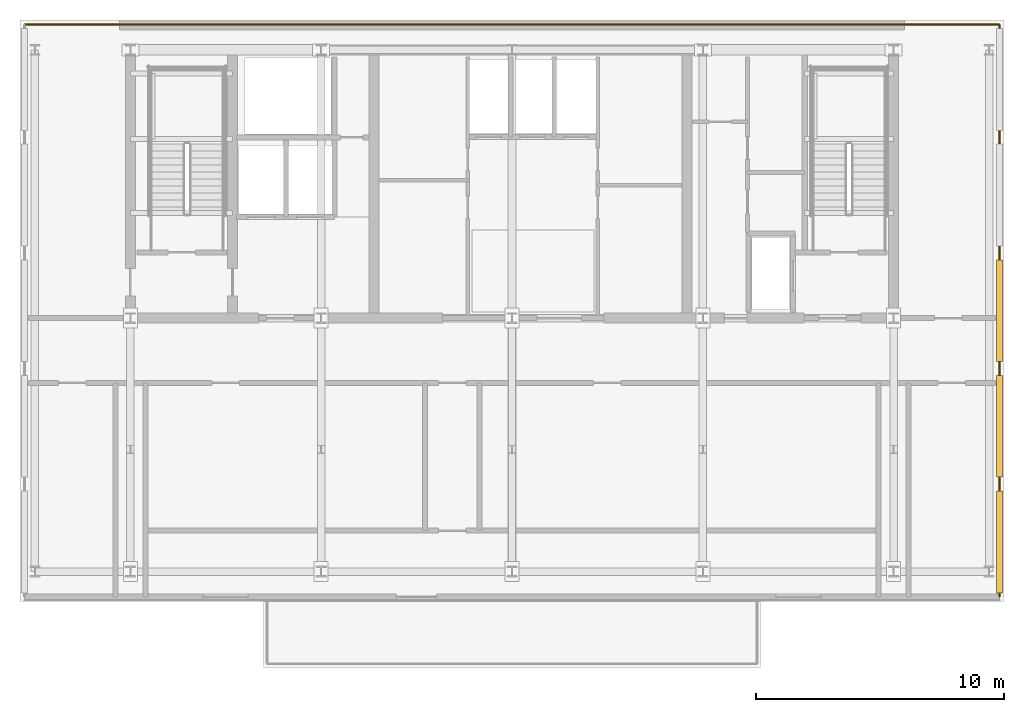
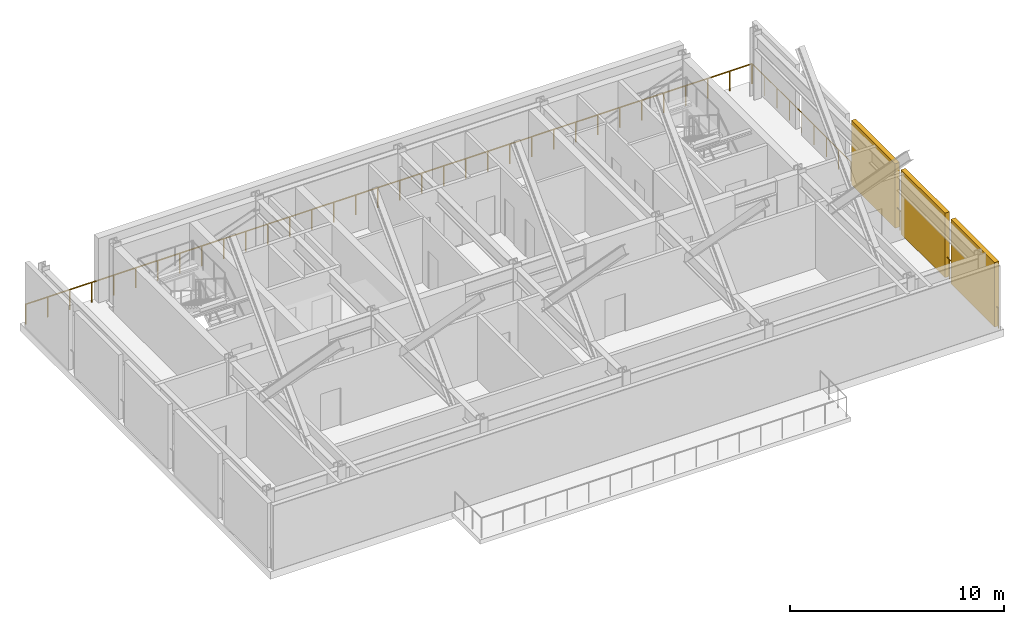
# One storey, part 7 of 8: 3 shading devices, 2 railings.
"""IFC4 building model written with IfcOpenShell, lengths in metres."""

from ifc_helpers import new_model, si_unit, direction, frame, origin, origin_2d, place, context, subcontext, project, spatial, rectangle, circle, extrude, material, layer, layer_set, type_object, element, save


model = new_model("IFC4")

# Units and contexts
model_context = context("Model", 3, precision=1e-05, world=origin(), true_north=direction((0.0, 1.0)))
body_context = subcontext(model_context, "Body", "Model", "MODEL_VIEW")
ifc_project = project(units=[si_unit("LENGTHUNIT", "METRE"), si_unit("AREAUNIT", "SQUARE_METRE"), si_unit("VOLUMEUNIT", "CUBIC_METRE"), si_unit("PLANEANGLEUNIT", "RADIAN"), si_unit("MASSUNIT", "GRAM", prefix="KILO")], contexts=[model_context])

# Site, building, storey
site_placement = place(None, origin())
site = spatial("IfcSite", under=ifc_project, at=site_placement, CompositionType="ELEMENT")
building_placement = place(site_placement, origin())
building = spatial("IfcBuilding", under=site, at=building_placement, Name="Yelkora Congress Tower", CompositionType="ELEMENT")
storey_placement = place(building_placement, frame((0.0, 0.0, 247.39990234375)))
storey = spatial("IfcBuildingStorey", under=building, at=storey_placement, Name="L69", CompositionType="ELEMENT", Elevation=247.39990234375)

# Railings
ifc_material_1 = material(Name="Stainless steel 316L and laminated glass infill", Category="steel")
ifc_layer_1 = layer(ifc_material_1, 0.080078125)
ifc_layer_set_1 = layer_set([ifc_layer_1], Name="Stainless steel 316L and laminated glass infill")
railing_type = type_object("IfcRailingType", Name="RAIL-EXT-GUARD-1150", PredefinedType="GUARDRAIL", material=ifc_layer_set_1)
railing_1_placement = place(storey_placement, frame((58.02001953125, 24.199951171875, 0.0)))
element("IfcRailing", 1, at=railing_1_placement, inside=storey, type_object=railing_type, Name="L69 Wind-Floor Perimeter Guardrail E", PredefinedType="GUARDRAIL", context=body_context, shape_type="SweptSolid", body=[
    extrude(circle(Radius=0.02392578125, at=origin_2d()), frame((0.0, 0.0, 1.1259765625), z_axis=(0.0, 1.0, 0.0), x_axis=(-1.0, 0.0, 0.0)), (0.0, 0.0, 1.0), 23.0),
    extrude(circle(Radius=0.02099609375, at=origin_2d()), origin(), (0.0, 0.0, 1.0), 1.101806640625),
    extrude(circle(Radius=0.02099609375, at=origin_2d()), frame((0.0, 1.14990234375, 0.0)), (0.0, 0.0, 1.0), 1.101806640625),
    extrude(circle(Radius=0.02099609375, at=origin_2d()), frame((0.0, 2.300048828125, 0.0)), (0.0, 0.0, 1.0), 1.101806640625),
    extrude(circle(Radius=0.02099609375, at=origin_2d()), frame((0.0, 3.449951171875, 0.0)), (0.0, 0.0, 1.0), 1.101806640625),
    extrude(circle(Radius=0.02099609375, at=origin_2d()), frame((0.0, 4.60009765625, 0.0)), (0.0, 0.0, 1.0), 1.101806640625),
    extrude(circle(Radius=0.02099609375, at=origin_2d()), frame((0.0, 5.75, 0.0)), (0.0, 0.0, 1.0), 1.101806640625),
    extrude(circle(Radius=0.02099609375, at=origin_2d()), frame((0.0, 6.89990234375, 0.0)), (0.0, 0.0, 1.0), 1.101806640625),
    extrude(circle(Radius=0.02099609375, at=origin_2d()), frame((0.0, 8.050048828125, 0.0)), (0.0, 0.0, 1.0), 1.101806640625),
    extrude(circle(Radius=0.02099609375, at=origin_2d()), frame((0.0, 9.199951171875, 0.0)), (0.0, 0.0, 1.0), 1.101806640625),
    extrude(circle(Radius=0.02099609375, at=origin_2d()), frame((0.0, 10.35009765625, 0.0)), (0.0, 0.0, 1.0), 1.101806640625),
    extrude(circle(Radius=0.02099609375, at=origin_2d()), frame((0.0, 11.5, 0.0)), (0.0, 0.0, 1.0), 1.101806640625),
    extrude(circle(Radius=0.02099609375, at=origin_2d()), frame((0.0, 12.64990234375, 0.0)), (0.0, 0.0, 1.0), 1.101806640625),
    extrude(circle(Radius=0.02099609375, at=origin_2d()), frame((0.0, 13.800048828125, 0.0)), (0.0, 0.0, 1.0), 1.101806640625),
    extrude(circle(Radius=0.02099609375, at=origin_2d()), frame((0.0, 14.949951171875, 0.0)), (0.0, 0.0, 1.0), 1.101806640625),
    extrude(circle(Radius=0.02099609375, at=origin_2d()), frame((0.0, 16.10009765625, 0.0)), (0.0, 0.0, 1.0), 1.101806640625),
    extrude(circle(Radius=0.02099609375, at=origin_2d()), frame((0.0, 17.25, 0.0)), (0.0, 0.0, 1.0), 1.101806640625),
    extrude(circle(Radius=0.02099609375, at=origin_2d()), frame((0.0, 18.39990234375, 0.0)), (0.0, 0.0, 1.0), 1.101806640625),
    extrude(circle(Radius=0.02099609375, at=origin_2d()), frame((0.0, 19.550048828125, 0.0)), (0.0, 0.0, 1.0), 1.101806640625),
    extrude(circle(Radius=0.02099609375, at=origin_2d()), frame((0.0, 20.699951171875, 0.0)), (0.0, 0.0, 1.0), 1.101806640625),
    extrude(circle(Radius=0.02099609375, at=origin_2d()), frame((0.0, 21.85009765625, 0.0)), (0.0, 0.0, 1.0), 1.101806640625),
    extrude(circle(Radius=0.02099609375, at=origin_2d()), frame((0.0, 23.0, 0.0)), (0.0, 0.0, 1.0), 1.101806640625),
])
railing_2_placement = place(storey_placement, frame((18.800048828125, 47.219970703125, 0.0)))
element("IfcRailing", 2, at=railing_2_placement, inside=storey, type_object=railing_type, Name="L69 North Perimeter Guardrail", PredefinedType="GUARDRAIL", context=body_context, shape_type="SweptSolid", body=[
    extrude(circle(Radius=0.02392578125, at=origin_2d()), frame((0.0, 0.0, 1.1259765625), z_axis=(1.0, 0.0, 0.0), x_axis=(0.0, 1.0, 0.0)), (0.0, 0.0, 1.0), 39.199951171875),
    extrude(circle(Radius=0.02099609375, at=origin_2d()), origin(), (0.0, 0.0, 1.0), 1.101806640625),
    extrude(circle(Radius=0.02099609375, at=origin_2d()), frame((1.18798828125, 0.0, 0.0)), (0.0, 0.0, 1.0), 1.101806640625),
    extrude(circle(Radius=0.02099609375, at=origin_2d()), frame((2.375732421875, 0.0, 0.0)), (0.0, 0.0, 1.0), 1.101806640625),
    extrude(circle(Radius=0.02099609375, at=origin_2d()), frame((3.563720703125, 0.0, 0.0)), (0.0, 0.0, 1.0), 1.101806640625),
    extrude(circle(Radius=0.02099609375, at=origin_2d()), frame((4.75146484375, 0.0, 0.0)), (0.0, 0.0, 1.0), 1.101806640625),
    extrude(circle(Radius=0.02099609375, at=origin_2d()), frame((5.939453125, 0.0, 0.0)), (0.0, 0.0, 1.0), 1.101806640625),
    extrude(circle(Radius=0.02099609375, at=origin_2d()), frame((7.127197265625, 0.0, 0.0)), (0.0, 0.0, 1.0), 1.101806640625),
    extrude(circle(Radius=0.02099609375, at=origin_2d()), frame((8.315185546875, 0.0, 0.0)), (0.0, 0.0, 1.0), 1.101806640625),
    extrude(circle(Radius=0.02099609375, at=origin_2d()), frame((9.5029296875, 0.0, 0.0)), (0.0, 0.0, 1.0), 1.101806640625),
    extrude(circle(Radius=0.02099609375, at=origin_2d()), frame((10.69091796875, 0.0, 0.0)), (0.0, 0.0, 1.0), 1.101806640625),
    extrude(circle(Radius=0.02099609375, at=origin_2d()), frame((11.878662109375, 0.0, 0.0)), (0.0, 0.0, 1.0), 1.101806640625),
    extrude(circle(Radius=0.02099609375, at=origin_2d()), frame((13.066650390625, 0.0, 0.0)), (0.0, 0.0, 1.0), 1.101806640625),
    extrude(circle(Radius=0.02099609375, at=origin_2d()), frame((14.254638671875, 0.0, 0.0)), (0.0, 0.0, 1.0), 1.101806640625),
    extrude(circle(Radius=0.02099609375, at=origin_2d()), frame((15.4423828125, 0.0, 0.0)), (0.0, 0.0, 1.0), 1.101806640625),
    extrude(circle(Radius=0.02099609375, at=origin_2d()), frame((16.63037109375, 0.0, 0.0)), (0.0, 0.0, 1.0), 1.101806640625),
    extrude(circle(Radius=0.02099609375, at=origin_2d()), frame((17.818115234375, 0.0, 0.0)), (0.0, 0.0, 1.0), 1.101806640625),
    extrude(circle(Radius=0.02099609375, at=origin_2d()), frame((19.006103515625, 0.0, 0.0)), (0.0, 0.0, 1.0), 1.101806640625),
    extrude(circle(Radius=0.02099609375, at=origin_2d()), frame((20.19384765625, 0.0, 0.0)), (0.0, 0.0, 1.0), 1.101806640625),
    extrude(circle(Radius=0.02099609375, at=origin_2d()), frame((21.3818359375, 0.0, 0.0)), (0.0, 0.0, 1.0), 1.101806640625),
    extrude(circle(Radius=0.02099609375, at=origin_2d()), frame((22.569580078125, 0.0, 0.0)), (0.0, 0.0, 1.0), 1.101806640625),
    extrude(circle(Radius=0.02099609375, at=origin_2d()), frame((23.757568359375, 0.0, 0.0)), (0.0, 0.0, 1.0), 1.101806640625),
    extrude(circle(Radius=0.02099609375, at=origin_2d()), frame((24.9453125, 0.0, 0.0)), (0.0, 0.0, 1.0), 1.101806640625),
    extrude(circle(Radius=0.02099609375, at=origin_2d()), frame((26.13330078125, 0.0, 0.0)), (0.0, 0.0, 1.0), 1.101806640625),
    extrude(circle(Radius=0.02099609375, at=origin_2d()), frame((27.3212890625, 0.0, 0.0)), (0.0, 0.0, 1.0), 1.101806640625),
    extrude(circle(Radius=0.02099609375, at=origin_2d()), frame((28.509033203125, 0.0, 0.0)), (0.0, 0.0, 1.0), 1.101806640625),
    extrude(circle(Radius=0.02099609375, at=origin_2d()), frame((29.697021484375, 0.0, 0.0)), (0.0, 0.0, 1.0), 1.101806640625),
    extrude(circle(Radius=0.02099609375, at=origin_2d()), frame((30.884765625, 0.0, 0.0)), (0.0, 0.0, 1.0), 1.101806640625),
    extrude(circle(Radius=0.02099609375, at=origin_2d()), frame((32.07275390625, 0.0, 0.0)), (0.0, 0.0, 1.0), 1.101806640625),
    extrude(circle(Radius=0.02099609375, at=origin_2d()), frame((33.260498046875, 0.0, 0.0)), (0.0, 0.0, 1.0), 1.101806640625),
    extrude(circle(Radius=0.02099609375, at=origin_2d()), frame((34.448486328125, 0.0, 0.0)), (0.0, 0.0, 1.0), 1.101806640625),
    extrude(circle(Radius=0.02099609375, at=origin_2d()), frame((35.63623046875, 0.0, 0.0)), (0.0, 0.0, 1.0), 1.101806640625),
    extrude(circle(Radius=0.02099609375, at=origin_2d()), frame((36.82421875, 0.0, 0.0)), (0.0, 0.0, 1.0), 1.101806640625),
    extrude(circle(Radius=0.02099609375, at=origin_2d()), frame((38.011962890625, 0.0, 0.0)), (0.0, 0.0, 1.0), 1.101806640625),
    extrude(circle(Radius=0.02099609375, at=origin_2d()), frame((39.199951171875, 0.0, 0.0)), (0.0, 0.0, 1.0), 1.101806640625),
])

# Shading devices
ifc_material_2 = material(Name="Perforated anodised aluminium louvre", Category="aluminium")
ifc_layer_2 = layer(ifc_material_2, 3.39990234375)
ifc_layer_set_2 = layer_set([ifc_layer_2], Name="Perforated anodised aluminium louvre")
shading_device_type = type_object("IfcShadingDeviceType", Name="SHD-LOUVRE-WIND", PredefinedType="JALOUSIE", material=ifc_layer_set_2)
for number, where, z_axis, x_axis, name in (
    (3, (58.02001953125, 26.39990234375, 0.0), (0.0, 0.0, 1.0), (1.0, 0.0, 0.0), "L69 Acoustic Wind-Floor Louvre Screen E1"),
    (4, (58.02001953125, 31.050048828125, 0.0), (0.0, 0.0, 1.0), (1.0, 0.0, 0.0), "L69 Acoustic Wind-Floor Louvre Screen E2"),
    (5, (58.02001953125, 35.699951171875, 0.0), (0.0, 0.0, 1.0), (1.0, 0.0, 0.0), "L69 Acoustic Wind-Floor Louvre Screen E3"),
):
    element("IfcShadingDevice", number, at=place(storey_placement, frame(where, z_axis=z_axis, x_axis=x_axis)), inside=storey, type_object=shading_device_type, Name=name, PredefinedType="JALOUSIE", context=body_context, shape_type="SweptSolid", body=[
        extrude(rectangle(XDim=0.239990234375, YDim=4.10009765625, at=origin_2d()), origin(), (0.0, 0.0, 1.0), 3.679931640625),
    ])

save(model, "model.ifc")
